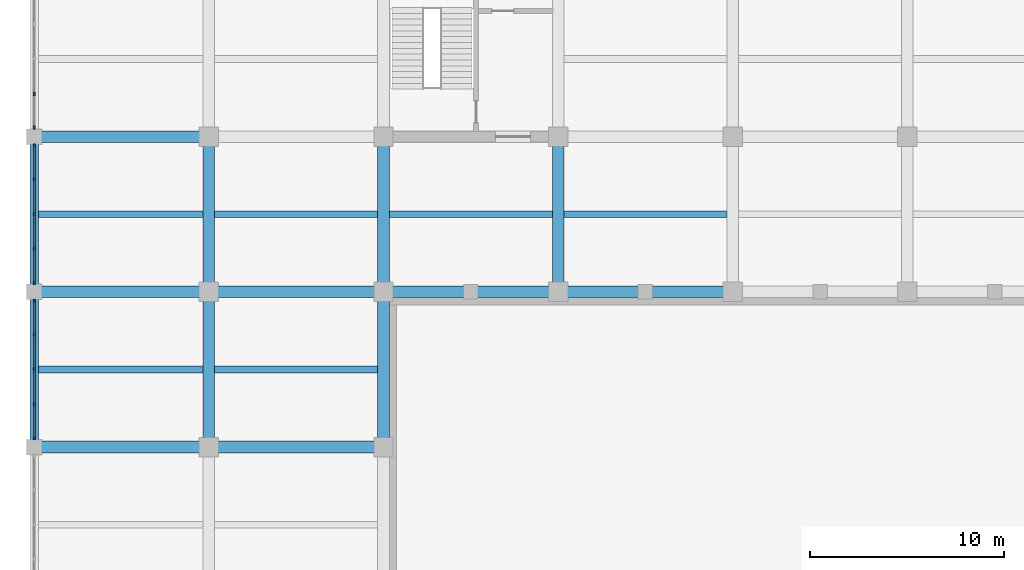
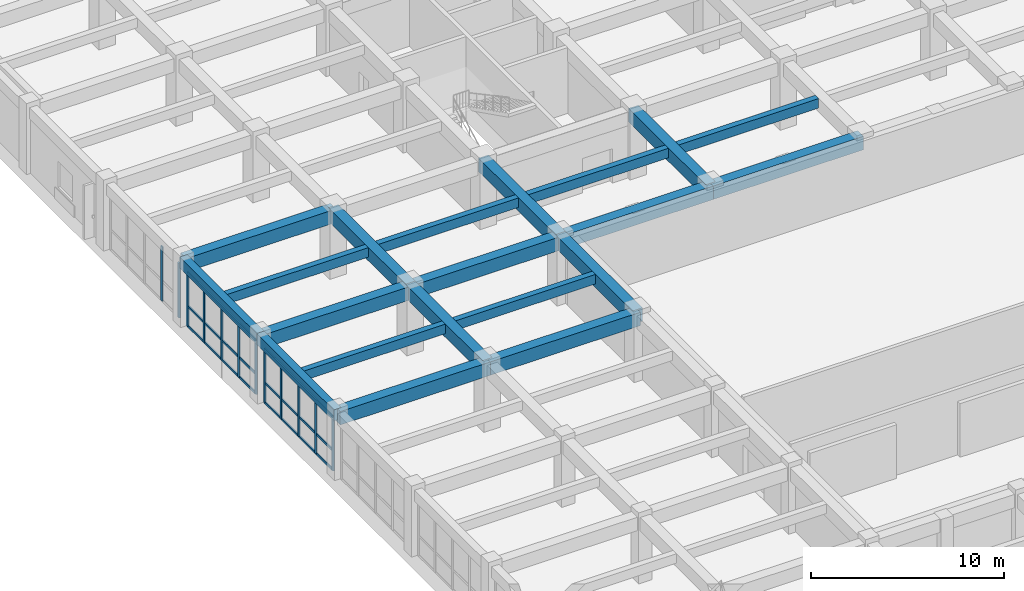
# One storey, part 13 of 50: 20 beams, 18 members, 3 elements without a shape of their own.
"""IFC4 building model written with IfcOpenShell, lengths in metres."""

from ifc_helpers import new_model, si_unit, direction, frame, origin, origin_2d, place, context, subcontext, project, spatial, rectangle, extrude, material, material_profile, profile_set, type_object, element, aggregate, save


model = new_model("IFC4")

# Units and contexts
model_context = context("Model", 3, precision=1e-05, world=origin(), true_north=direction((0.0, 1.0)))
body_context = subcontext(model_context, "Body", "Model", "MODEL_VIEW")
ifc_project = project(units=[si_unit("LENGTHUNIT", "METRE"), si_unit("AREAUNIT", "SQUARE_METRE"), si_unit("VOLUMEUNIT", "CUBIC_METRE"), si_unit("PLANEANGLEUNIT", "RADIAN"), si_unit("MASSUNIT", "GRAM", prefix="KILO")], contexts=[model_context])

# Site, building, storey
site_placement = place(None, origin())
site = spatial("IfcSite", under=ifc_project, at=site_placement, CompositionType="ELEMENT")
building_placement = place(site_placement, origin())
building = spatial("IfcBuilding", under=site, at=building_placement, Name="Zaverband Oceanarium and Marine Research Institute", CompositionType="ELEMENT")
storey_placement = place(building_placement, frame((0.0, 0.0, 4.5)))
storey = spatial("IfcBuildingStorey", under=building, at=storey_placement, Name="L01", CompositionType="ELEMENT", Elevation=4.5)

# Beams
ifc_material_1 = material(Name="Concrete C40/50", Category="concrete")
ifc_material_profile_1 = material_profile(ifc_material_1, rectangle(XDim=0.60009765625, YDim=0.85009765625, at=origin_2d()), Name="RC600x850")
ifc_profile_set_1 = profile_set([ifc_material_profile_1], Name="Concrete C40/50")
beam_type_1 = type_object("IfcBeamType", Name="BM-600x850", PredefinedType="BEAM", material=ifc_profile_set_1)
for number, where, z_axis, x_axis, name in (
    (1, (0.0, 64.0, 3.7548828125), (1.0, 0.0, 0.0), (0.0, 1.0, 0.0), "Primary floor girder BM-600x850"),
    (2, (9.0, 64.0, 3.7548828125), (1.0, 0.0, 0.0), (0.0, 1.0, 0.0), "Primary floor girder BM-600x850"),
    (3, (0.0, 72.0, 3.7548828125), (1.0, 0.0, 0.0), (0.0, 1.0, 0.0), "Primary floor girder BM-600x850"),
    (4, (9.0, 72.0, 3.7548828125), (1.0, 0.0, 0.0), (0.0, 1.0, 0.0), "Primary floor girder BM-600x850"),
    (5, (18.0, 72.0, 3.7548828125), (1.0, 0.0, 0.0), (0.0, 1.0, 0.0), "Primary floor girder BM-600x850"),
    (6, (27.0, 72.0, 3.7548828125), (1.0, 0.0, 0.0), (0.0, 1.0, 0.0), "Primary floor girder BM-600x850"),
    (7, (0.0, 80.0, 3.7548828125), (1.0, 0.0, 0.0), (0.0, 1.0, 0.0), "Primary floor girder BM-600x850"),
):
    element("IfcBeam", number, at=place(storey_placement, frame(where, z_axis=z_axis, x_axis=x_axis)), inside=storey, type_object=beam_type_1, Name=name, PredefinedType="BEAM", context=body_context, shape_type="SweptSolid", body=[
        extrude(rectangle(XDim=0.60009765625, YDim=0.85009765625, at=origin_2d()), origin(), (0.0, 0.0, 1.0), 9.0),
    ])
for number, where, z_axis, x_axis, name in (
    (8, (9.0, 64.0, 3.7548828125), (0.0, 1.0, 0.0), (-1.0, 0.0, 0.0), "Primary floor girder BM-600x850"),
    (9, (9.0, 72.0, 3.7548828125), (0.0, 1.0, 0.0), (-1.0, 0.0, 0.0), "Primary floor girder BM-600x850"),
    (10, (18.0, 64.0, 3.7548828125), (0.0, 1.0, 0.0), (-1.0, 0.0, 0.0), "Primary floor girder BM-600x850"),
    (11, (18.0, 72.0, 3.7548828125), (0.0, 1.0, 0.0), (-1.0, 0.0, 0.0), "Primary floor girder BM-600x850"),
    (12, (27.0, 72.0, 3.7548828125), (0.0, 1.0, 0.0), (-1.0, 0.0, 0.0), "Primary floor girder BM-600x850"),
):
    element("IfcBeam", number, at=place(storey_placement, frame(where, z_axis=z_axis, x_axis=x_axis)), inside=storey, type_object=beam_type_1, Name=name, PredefinedType="BEAM", context=body_context, shape_type="SweptSolid", body=[
        extrude(rectangle(XDim=0.60009765625, YDim=0.85009765625, at=origin_2d()), origin(), (0.0, 0.0, 1.0), 8.0),
    ])
ifc_material_profile_2 = material_profile(ifc_material_1, rectangle(XDim=0.35009765625, YDim=0.60009765625, at=origin_2d()), Name="RC350x600")
ifc_profile_set_2 = profile_set([ifc_material_profile_2], Name="Concrete C40/50")
beam_type_2 = type_object("IfcBeamType", Name="JST-350x600", PredefinedType="JOIST", material=ifc_profile_set_2)
for number, where, z_axis, x_axis, name in (
    (13, (0.22509765625, 68.0, 3.8798828125), (1.0, 0.0, 0.0), (0.0, 1.0, 0.0), "Secondary floor joist JST-350x600"),
    (14, (0.22509765625, 76.0, 3.8798828125), (1.0, 0.0, 0.0), (0.0, 1.0, 0.0), "Secondary floor joist JST-350x600"),
):
    element("IfcBeam", number, at=place(storey_placement, frame(where, z_axis=z_axis, x_axis=x_axis)), inside=storey, type_object=beam_type_2, Name=name, PredefinedType="JOIST", context=body_context, shape_type="SweptSolid", body=[
        extrude(rectangle(XDim=0.35009765625, YDim=0.60009765625, at=origin_2d()), origin(), (0.0, 0.0, 1.0), 8.474853515625),
    ])
for number, where, z_axis, x_axis, name in (
    (15, (9.300048828125, 68.0, 3.8798828125), (1.0, 0.0, 0.0), (0.0, 1.0, 0.0), "Secondary floor joist JST-350x600"),
    (16, (9.300048828125, 76.0, 3.8798828125), (1.0, 0.0, 0.0), (0.0, 1.0, 0.0), "Secondary floor joist JST-350x600"),
    (17, (18.300048828125, 76.0, 3.8798828125), (1.0, 0.0, 0.0), (0.0, 1.0, 0.0), "Secondary floor joist JST-350x600"),
    (18, (27.300048828125, 76.0, 3.8798828125), (1.0, 0.0, 0.0), (0.0, 1.0, 0.0), "Secondary floor joist JST-350x600"),
):
    element("IfcBeam", number, at=place(storey_placement, frame(where, z_axis=z_axis, x_axis=x_axis)), inside=storey, type_object=beam_type_2, Name=name, PredefinedType="JOIST", context=body_context, shape_type="SweptSolid", body=[
        extrude(rectangle(XDim=0.35009765625, YDim=0.60009765625, at=origin_2d()), origin(), (0.0, 0.0, 1.0), 8.39990234375),
    ])

# Curtain wall, members
ifc_material_2 = material(Name="Thermally broken anodized aluminium and solar-control glass", Category="aluminium")
curtain_wall_type = type_object("IfcCurtainWallType", Name="CW-UNIT-1800", PredefinedType="NOTDEFINED", material=ifc_material_2)
curtain_wall_1_placement = place(storey_placement, origin())
curtain_wall_1 = element("IfcCurtainWall", 19, at=curtain_wall_1_placement, inside=storey, type_object=curtain_wall_type, Name="Unitised glazed curtain wall CW-032", PredefinedType="NOTDEFINED")
ifc_material_3 = material(Name="Thermally broken anodized aluminium", Category="aluminium")
ifc_material_profile_3 = material_profile(ifc_material_3, rectangle(XDim=0.080078125, YDim=0.179931640625, at=origin_2d()), Name="AL-MUL-80x180")
ifc_profile_set_3 = profile_set([ifc_material_profile_3], Name="Thermally broken anodized aluminium")
member_type_1 = type_object("IfcMemberType", Name="MUL-80x180", PredefinedType="MULLION", material=ifc_profile_set_3)
member_1_placement = place(storey_placement, frame((0.0, 64.465087890625, 0.0), z_axis=(0.0, 0.0, 1.0), x_axis=(1.0, 0.0, 0.0)))
member_1 = element("IfcMember", 20, at=member_1_placement, type_object=member_type_1, Name="Curtain wall vertical mullion MUL-80x180", PredefinedType="MULLION", context=body_context, shape_type="SweptSolid", body=[
    extrude(rectangle(XDim=0.080078125, YDim=0.179931640625, at=origin_2d()), origin(), (0.0, 0.0, 1.0), 3.4599609375),
])
member_2_placement = place(storey_placement, frame((0.0, 66.202392578125, 0.0), z_axis=(0.0, 0.0, 1.0), x_axis=(1.0, 0.0, 0.0)))
member_2 = element("IfcMember", 21, at=member_2_placement, type_object=member_type_1, Name="Curtain wall vertical mullion MUL-80x180", PredefinedType="MULLION", context=body_context, shape_type="SweptSolid", body=[
    extrude(rectangle(XDim=0.080078125, YDim=0.179931640625, at=origin_2d()), origin(), (0.0, 0.0, 1.0), 3.4599609375),
])
member_3_placement = place(storey_placement, frame((0.0, 68.0, 0.0), z_axis=(0.0, 0.0, 1.0), x_axis=(1.0, 0.0, 0.0)))
member_3 = element("IfcMember", 22, at=member_3_placement, type_object=member_type_1, Name="Curtain wall vertical mullion MUL-80x180", PredefinedType="MULLION", context=body_context, shape_type="SweptSolid", body=[
    extrude(rectangle(XDim=0.080078125, YDim=0.179931640625, at=origin_2d()), origin(), (0.0, 0.0, 1.0), 3.4599609375),
])
member_4_placement = place(storey_placement, frame((0.0, 69.797607421875, 0.0), z_axis=(0.0, 0.0, 1.0), x_axis=(1.0, 0.0, 0.0)))
member_4 = element("IfcMember", 23, at=member_4_placement, type_object=member_type_1, Name="Curtain wall vertical mullion MUL-80x180", PredefinedType="MULLION", context=body_context, shape_type="SweptSolid", body=[
    extrude(rectangle(XDim=0.080078125, YDim=0.179931640625, at=origin_2d()), origin(), (0.0, 0.0, 1.0), 3.4599609375),
])
member_5_placement = place(storey_placement, frame((0.0, 71.534912109375, 0.0), z_axis=(0.0, 0.0, 1.0), x_axis=(1.0, 0.0, 0.0)))
member_5 = element("IfcMember", 24, at=member_5_placement, type_object=member_type_1, Name="Curtain wall vertical mullion MUL-80x180", PredefinedType="MULLION", context=body_context, shape_type="SweptSolid", body=[
    extrude(rectangle(XDim=0.080078125, YDim=0.179931640625, at=origin_2d()), origin(), (0.0, 0.0, 1.0), 3.4599609375),
])

curtain_wall_2_placement = place(storey_placement, origin())
curtain_wall_2 = element("IfcCurtainWall", 25, at=curtain_wall_2_placement, inside=storey, type_object=curtain_wall_type, Name="Unitised glazed curtain wall CW-033", PredefinedType="NOTDEFINED")
member_6_placement = place(storey_placement, frame((0.0, 72.465087890625, 0.0), z_axis=(0.0, 0.0, 1.0), x_axis=(1.0, 0.0, 0.0)))
member_6 = element("IfcMember", 26, at=member_6_placement, type_object=member_type_1, Name="Curtain wall vertical mullion MUL-80x180", PredefinedType="MULLION", context=body_context, shape_type="SweptSolid", body=[
    extrude(rectangle(XDim=0.080078125, YDim=0.179931640625, at=origin_2d()), origin(), (0.0, 0.0, 1.0), 3.4599609375),
])
member_7_placement = place(storey_placement, frame((0.0, 74.202392578125, 0.0), z_axis=(0.0, 0.0, 1.0), x_axis=(1.0, 0.0, 0.0)))
member_7 = element("IfcMember", 27, at=member_7_placement, type_object=member_type_1, Name="Curtain wall vertical mullion MUL-80x180", PredefinedType="MULLION", context=body_context, shape_type="SweptSolid", body=[
    extrude(rectangle(XDim=0.080078125, YDim=0.179931640625, at=origin_2d()), origin(), (0.0, 0.0, 1.0), 3.4599609375),
])
member_8_placement = place(storey_placement, frame((0.0, 76.0, 0.0), z_axis=(0.0, 0.0, 1.0), x_axis=(1.0, 0.0, 0.0)))
member_8 = element("IfcMember", 28, at=member_8_placement, type_object=member_type_1, Name="Curtain wall vertical mullion MUL-80x180", PredefinedType="MULLION", context=body_context, shape_type="SweptSolid", body=[
    extrude(rectangle(XDim=0.080078125, YDim=0.179931640625, at=origin_2d()), origin(), (0.0, 0.0, 1.0), 3.4599609375),
])
member_9_placement = place(storey_placement, frame((0.0, 77.797607421875, 0.0), z_axis=(0.0, 0.0, 1.0), x_axis=(1.0, 0.0, 0.0)))
member_9 = element("IfcMember", 29, at=member_9_placement, type_object=member_type_1, Name="Curtain wall vertical mullion MUL-80x180", PredefinedType="MULLION", context=body_context, shape_type="SweptSolid", body=[
    extrude(rectangle(XDim=0.080078125, YDim=0.179931640625, at=origin_2d()), origin(), (0.0, 0.0, 1.0), 3.4599609375),
])
member_10_placement = place(storey_placement, frame((0.0, 79.534912109375, 0.0), z_axis=(0.0, 0.0, 1.0), x_axis=(1.0, 0.0, 0.0)))
member_10 = element("IfcMember", 30, at=member_10_placement, type_object=member_type_1, Name="Curtain wall vertical mullion MUL-80x180", PredefinedType="MULLION", context=body_context, shape_type="SweptSolid", body=[
    extrude(rectangle(XDim=0.080078125, YDim=0.179931640625, at=origin_2d()), origin(), (0.0, 0.0, 1.0), 3.4599609375),
])

curtain_wall_3_placement = place(storey_placement, origin())
curtain_wall_3 = element("IfcCurtainWall", 31, at=curtain_wall_3_placement, inside=storey, type_object=curtain_wall_type, Name="Unitised glazed curtain wall CW-034", PredefinedType="NOTDEFINED")
member_11_placement = place(storey_placement, frame((0.0, 80.465087890625, 0.0), z_axis=(0.0, 0.0, 1.0), x_axis=(1.0, 0.0, 0.0)))
member_11 = element("IfcMember", 32, at=member_11_placement, type_object=member_type_1, Name="Curtain wall vertical mullion MUL-80x180", PredefinedType="MULLION", context=body_context, shape_type="SweptSolid", body=[
    extrude(rectangle(XDim=0.080078125, YDim=0.179931640625, at=origin_2d()), origin(), (0.0, 0.0, 1.0), 3.4599609375),
])
member_12_placement = place(storey_placement, frame((0.0, 82.202392578125, 0.0), z_axis=(0.0, 0.0, 1.0), x_axis=(1.0, 0.0, 0.0)))
member_12 = element("IfcMember", 33, at=member_12_placement, type_object=member_type_1, Name="Curtain wall vertical mullion MUL-80x180", PredefinedType="MULLION", context=body_context, shape_type="SweptSolid", body=[
    extrude(rectangle(XDim=0.080078125, YDim=0.179931640625, at=origin_2d()), origin(), (0.0, 0.0, 1.0), 3.4599609375),
])
aggregate(curtain_wall_3, [member_11, member_12])

# Beams
ifc_material_profile_4 = material_profile(ifc_material_1, rectangle(XDim=0.449951171875, YDim=0.699951171875, at=origin_2d()), Name="RC450x700")
ifc_profile_set_4 = profile_set([ifc_material_profile_4], Name="Concrete C40/50")
beam_type_3 = type_object("IfcBeamType", Name="SPN-450x700", PredefinedType="SPANDREL", material=ifc_profile_set_4)
for number, where, z_axis, x_axis, name in (
    (34, (0.0, 64.0, 3.830078125), (0.0, 1.0, 0.0), (-1.0, 0.0, 0.0), "Perimeter spandrel beam SPN-450x700"),
    (35, (0.0, 72.0, 3.830078125), (0.0, 1.0, 0.0), (-1.0, 0.0, 0.0), "Perimeter spandrel beam SPN-450x700"),
):
    element("IfcBeam", number, at=place(storey_placement, frame(where, z_axis=z_axis, x_axis=x_axis)), inside=storey, type_object=beam_type_3, Name=name, PredefinedType="SPANDREL", context=body_context, shape_type="SweptSolid", body=[
        extrude(rectangle(XDim=0.449951171875, YDim=0.699951171875, at=origin_2d()), origin(), (0.0, 0.0, 1.0), 8.0),
    ])

# Member
ifc_material_profile_5 = material_profile(ifc_material_3, rectangle(XDim=0.080078125, YDim=0.139892578125, at=origin_2d()), Name="AL-TRN-80x140")
ifc_profile_set_5 = profile_set([ifc_material_profile_5], Name="Thermally broken anodized aluminium")
member_type_2 = type_object("IfcMemberType", Name="TRN-80x140", PredefinedType="USERDEFINED", material=ifc_profile_set_5)
member_13_placement = place(storey_placement, frame((0.0, 64.465087890625, 0.050048828125), z_axis=(0.0, 1.0, 0.0), x_axis=(-1.0, 0.0, 0.0)))
member_13 = element("IfcMember", 36, at=member_13_placement, type_object=member_type_2, Name="Curtain wall horizontal transom TRN-80x140", ObjectType="TRANSOM", PredefinedType="USERDEFINED", context=body_context, shape_type="SweptSolid", body=[
    extrude(rectangle(XDim=0.080078125, YDim=0.139892578125, at=origin_2d()), origin(), (0.0, 0.0, 1.0), 7.06982421875),
])

member_14_placement = place(storey_placement, frame((0.0, 64.465087890625, 1.291015625), z_axis=(0.0, 1.0, 0.0), x_axis=(-1.0, 0.0, 0.0)))
member_14 = element("IfcMember", 37, at=member_14_placement, type_object=member_type_2, Name="Curtain wall horizontal transom TRN-80x140", ObjectType="TRANSOM", PredefinedType="USERDEFINED", context=body_context, shape_type="SweptSolid", body=[
    extrude(rectangle(XDim=0.080078125, YDim=0.139892578125, at=origin_2d()), origin(), (0.0, 0.0, 1.0), 7.06982421875),
])

member_15_placement = place(storey_placement, frame((0.0, 64.465087890625, 3.409912109375), z_axis=(0.0, 1.0, 0.0), x_axis=(-1.0, 0.0, 0.0)))
member_15 = element("IfcMember", 38, at=member_15_placement, type_object=member_type_2, Name="Curtain wall horizontal transom TRN-80x140", ObjectType="TRANSOM", PredefinedType="USERDEFINED", context=body_context, shape_type="SweptSolid", body=[
    extrude(rectangle(XDim=0.080078125, YDim=0.139892578125, at=origin_2d()), origin(), (0.0, 0.0, 1.0), 7.06982421875),
])

aggregate(curtain_wall_1, [member_1, member_2, member_3, member_4, member_5, member_13, member_14, member_15])

member_16_placement = place(storey_placement, frame((0.0, 72.465087890625, 0.050048828125), z_axis=(0.0, 1.0, 0.0), x_axis=(-1.0, 0.0, 0.0)))
member_16 = element("IfcMember", 39, at=member_16_placement, type_object=member_type_2, Name="Curtain wall horizontal transom TRN-80x140", ObjectType="TRANSOM", PredefinedType="USERDEFINED", context=body_context, shape_type="SweptSolid", body=[
    extrude(rectangle(XDim=0.080078125, YDim=0.139892578125, at=origin_2d()), origin(), (0.0, 0.0, 1.0), 7.06982421875),
])

member_17_placement = place(storey_placement, frame((0.0, 72.465087890625, 1.291015625), z_axis=(0.0, 1.0, 0.0), x_axis=(-1.0, 0.0, 0.0)))
member_17 = element("IfcMember", 40, at=member_17_placement, type_object=member_type_2, Name="Curtain wall horizontal transom TRN-80x140", ObjectType="TRANSOM", PredefinedType="USERDEFINED", context=body_context, shape_type="SweptSolid", body=[
    extrude(rectangle(XDim=0.080078125, YDim=0.139892578125, at=origin_2d()), origin(), (0.0, 0.0, 1.0), 7.06982421875),
])

member_18_placement = place(storey_placement, frame((0.0, 72.465087890625, 3.409912109375), z_axis=(0.0, 1.0, 0.0), x_axis=(-1.0, 0.0, 0.0)))
member_18 = element("IfcMember", 41, at=member_18_placement, type_object=member_type_2, Name="Curtain wall horizontal transom TRN-80x140", ObjectType="TRANSOM", PredefinedType="USERDEFINED", context=body_context, shape_type="SweptSolid", body=[
    extrude(rectangle(XDim=0.080078125, YDim=0.139892578125, at=origin_2d()), origin(), (0.0, 0.0, 1.0), 7.06982421875),
])

aggregate(curtain_wall_2, [member_6, member_7, member_8, member_9, member_10, member_16, member_17, member_18])

save(model, "model.ifc")
